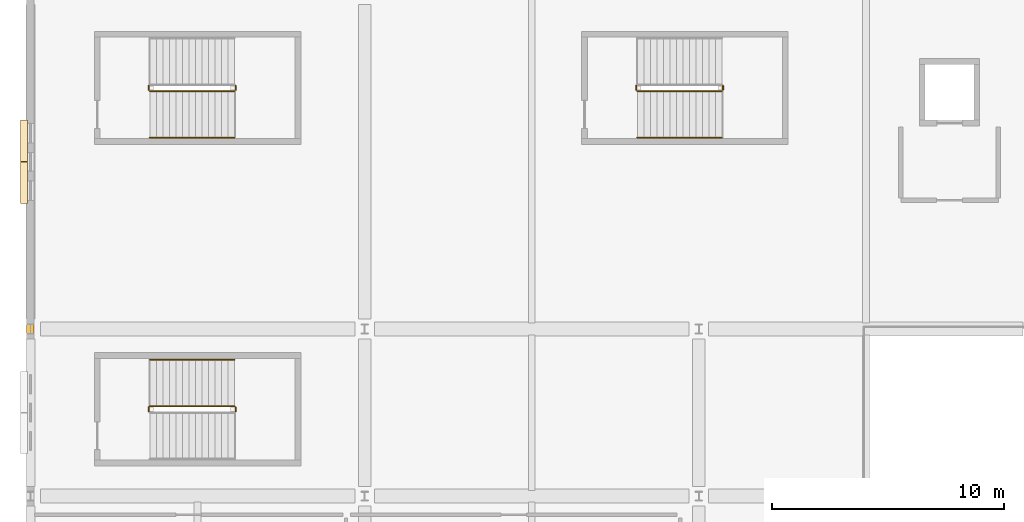
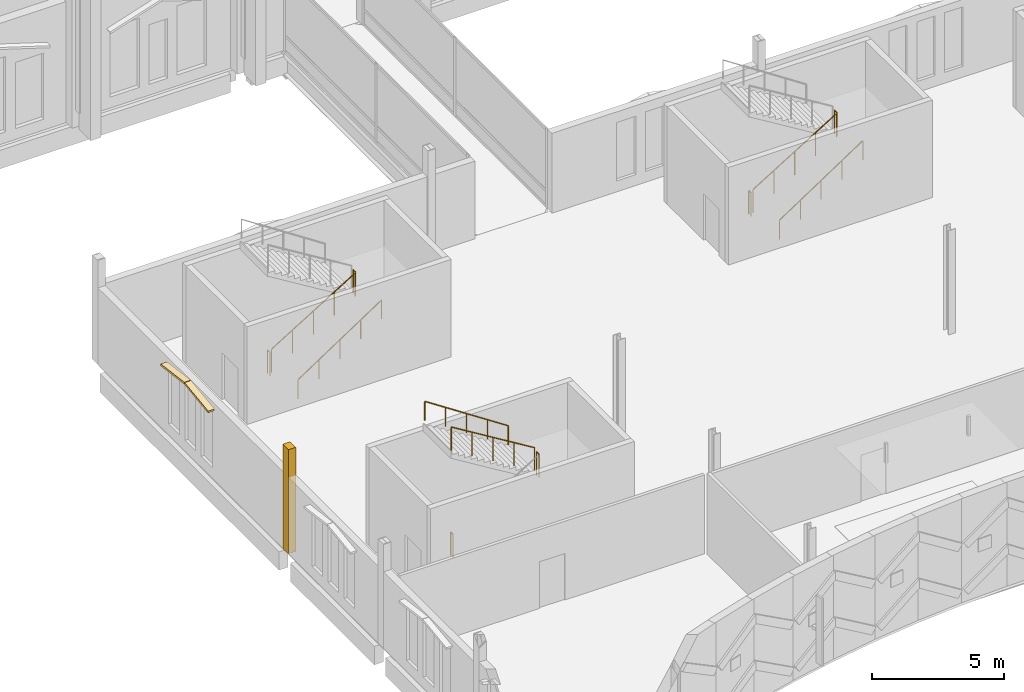
# One storey, part 194 of 220: 12 railings, 3 coverings.
"""IFC4 building model written with IfcOpenShell, lengths in metres."""

from ifc_helpers import new_model, si_unit, direction, frame, origin, origin_2d, place, context, subcontext, project, spatial, polyline, circle, outline, extrude, material, layer, layer_set, type_object, element, save


model = new_model("IFC4")

# Units and contexts
model_context = context("Model", 3, precision=1e-05, world=origin(), true_north=direction((0.0, 1.0)))
body_context = subcontext(model_context, "Body", "Model", "MODEL_VIEW")
ifc_project = project(units=[si_unit("LENGTHUNIT", "METRE"), si_unit("AREAUNIT", "SQUARE_METRE"), si_unit("VOLUMEUNIT", "CUBIC_METRE"), si_unit("PLANEANGLEUNIT", "RADIAN"), si_unit("MASSUNIT", "GRAM", prefix="KILO")], contexts=[model_context])

# Site, building, storey
site_placement = place(None, origin())
site = spatial("IfcSite", under=ifc_project, at=site_placement, CompositionType="ELEMENT")
building_placement = place(site_placement, origin())
building = spatial("IfcBuilding", under=site, at=building_placement, Name="Cendralis Lancet Convention Centre", CompositionType="ELEMENT")
storey_placement = place(building_placement, frame((0.0, 0.0, 5.39990234375)))
storey = spatial("IfcBuildingStorey", under=building, at=storey_placement, Name="L01", CompositionType="ELEMENT", Elevation=5.39990234375)

# Coverings
ifc_material_1 = material(Name="Warm buff sandstone chevron cassette", Category="masonry")
ifc_layer = layer(ifc_material_1, 0.06005859375, Name="Warm buff sandstone chevron cassette")
ifc_layer_set = layer_set([ifc_layer], Name="Warm buff sandstone chevron cassette")
covering_type = type_object("IfcCoveringType", Name="ARC-CV-CLAD1", PredefinedType="CLADDING", material=ifc_layer_set)
for number, where, z_axis, x_axis, name in (
    (1, (-0.419921875, 27.0, 3.27001953125), (0.0, -0.130223638093, 0.991484646418), (1.0, 0.0, 0.0), "L01 Gothic Pointed Lancet Hood-Mould #0257L"),
    (2, (-0.419921875, 28.81005859375, 3.505126953125), (0.0, 0.130223638093, 0.991484646418), (1.0, 0.0, 0.0), "L01 Gothic Pointed Lancet Hood-Mould #0258R"),
):
    element("IfcCovering", number, at=place(storey_placement, frame(where, z_axis=z_axis, x_axis=x_axis)), inside=storey, type_object=covering_type, Name=name, PredefinedType="CLADDING", context=body_context, shape_type="SweptSolid", body=[
        extrude(outline(polyline([(0.0, 0.0), (0.284912109375, 0.0), (0.284912109375, 1.805412790775724), (0.0, 1.805412790775724), (0.0, 0.0)])), origin(), (0.0, 0.0, -1.0), 0.090087890625),
    ])
covering_placement = place(storey_placement, origin())
element("IfcCovering", 3, at=covering_placement, inside=storey, type_object=covering_type, Name="Exterior Column Stone Fire-Casing L01 #003", PredefinedType="CLADDING", context=body_context, shape_type="SweptSolid", body=[
    extrude(outline(polyline([(-0.162109375, 21.387939453125), (0.162109375, 21.387939453125), (0.162109375, 21.81201171875), (-0.162109375, 21.81201171875), (-0.162109375, 21.387939453125)])), origin(), (0.0, 0.0, 1.0), 4.800048828125),
])

# Railings
ifc_material_2 = material(Name="Steel S355", Category="steel")
railing_type_1 = type_object("IfcRailingType", Name="ARC-RL-CGD", PredefinedType="GUARDRAIL", material=ifc_material_2)
railing_1_placement = place(storey_placement, frame((26.14990234375, 31.85009765625, 0.171630859375)))
element("IfcRailing", 4, at=railing_1_placement, inside=storey, type_object=railing_type_1, Name="L01 ST-11 stair guard 1", PredefinedType="GUARDRAIL", context=body_context, shape_type="SweptSolid", body=[
    extrude(circle(Radius=0.02392578125, at=origin_2d()), frame((0.0, 0.0, 1.076171875), z_axis=(0.852865859571, 0.0, 0.52213008492), x_axis=(0.0, 1.0, 0.0)), (0.0, 0.0, 1.0), 4.26806640625),
    extrude(circle(Radius=0.02099609375, at=origin_2d()), origin(), (0.0, 0.0, 1.0), 1.052001953125),
    extrude(circle(Radius=0.02099609375, at=origin_2d()), frame((0.91015625, 0.0, 0.55712890625)), (0.0, 0.0, 1.0), 1.052001953125),
    extrude(circle(Radius=0.02099609375, at=origin_2d()), frame((1.820068359375, 0.0, 1.1142578125)), (0.0, 0.0, 1.0), 1.052001953125),
    extrude(circle(Radius=0.02099609375, at=origin_2d()), frame((2.72998046875, 0.0, 1.67138671875)), (0.0, 0.0, 1.0), 1.052001953125),
    extrude(circle(Radius=0.02099609375, at=origin_2d()), frame((3.64013671875, 0.0, 2.228515625)), (0.0, 0.0, 1.0), 1.052001953125),
])
for number, where, name in (
    (5, (29.840087890625, 31.89990234375, 2.400146484375), "L01 ST-11 stair guard 2"),
    (6, (26.10009765625, 31.89990234375, 0.0), "L01 ST-11 stair guard 4"),
):
    element("IfcRailing", number, at=place(storey_placement, frame(where)), inside=storey, type_object=railing_type_1, Name=name, PredefinedType="GUARDRAIL", context=body_context, shape_type="SweptSolid", body=[
        extrude(circle(Radius=0.02392578125, at=origin_2d()), frame((0.0, 0.0, 1.076171875), z_axis=(0.0, 1.0, 0.0), x_axis=(-1.0, 0.0, 0.0)), (0.0, 0.0, 1.0), 0.18017578125),
        extrude(circle(Radius=0.02099609375, at=origin_2d()), origin(), (0.0, 0.0, 1.0), 1.052001953125),
        extrude(circle(Radius=0.02099609375, at=origin_2d()), frame((0.0, 0.18017578125, 0.0)), (0.0, 0.0, 1.0), 1.052001953125),
    ])
railing_2_placement = place(storey_placement, frame((8.840087890625, 18.050048828125, 2.400146484375)))
element("IfcRailing", 7, at=railing_2_placement, inside=storey, type_object=railing_type_1, Name="L01 ST-17 stair guard 2", PredefinedType="GUARDRAIL", context=body_context, shape_type="SweptSolid", body=[
    extrude(circle(Radius=0.02392578125, at=origin_2d()), frame((0.0, 0.0, 1.076171875), z_axis=(0.0, 1.0, 0.0), x_axis=(-1.0, 0.0, 0.0)), (0.0, 0.0, 1.0), 0.179931640625),
    extrude(circle(Radius=0.02099609375, at=origin_2d()), origin(), (0.0, 0.0, 1.0), 1.052001953125),
    extrude(circle(Radius=0.02099609375, at=origin_2d()), frame((0.0, 0.179931640625, 0.0)), (0.0, 0.0, 1.0), 1.052001953125),
])
railing_3_placement = place(storey_placement, frame((8.7900390625, 18.280029296875, 2.571533203125)))
element("IfcRailing", 8, at=railing_3_placement, inside=storey, type_object=railing_type_1, Name="L01 ST-17 stair guard 3", PredefinedType="GUARDRAIL", context=body_context, shape_type="SweptSolid", body=[
    extrude(circle(Radius=0.02392578125, at=origin_2d()), frame((0.0, 0.0, 1.076171875), z_axis=(-0.852865859571, 0.0, 0.52213008492), x_axis=(0.0, -1.0, 0.0)), (0.0, 0.0, 1.0), 4.26806640625),
    extrude(circle(Radius=0.02099609375, at=origin_2d()), origin(), (0.0, 0.0, 1.0), 1.052001953125),
    extrude(circle(Radius=0.02099609375, at=origin_2d()), frame((-0.91015625, 0.0, 0.55712890625)), (0.0, 0.0, 1.0), 1.052001953125),
    extrude(circle(Radius=0.02099609375, at=origin_2d()), frame((-1.820068359375, 0.0, 1.1142578125)), (0.0, 0.0, 1.0), 1.052001953125),
    extrude(circle(Radius=0.02099609375, at=origin_2d()), frame((-2.72998046875, 0.0, 1.67138671875)), (0.0, 0.0, 1.0), 1.052001953125),
    extrude(circle(Radius=0.02099609375, at=origin_2d()), frame((-3.64013671875, 0.0, 2.228515625)), (0.0, 0.0, 1.0), 1.052001953125),
])
railing_4_placement = place(storey_placement, frame((5.10009765625, 18.050048828125, 0.0)))
element("IfcRailing", 9, at=railing_4_placement, inside=storey, type_object=railing_type_1, Name="L01 ST-17 stair guard 4", PredefinedType="GUARDRAIL", context=body_context, shape_type="SweptSolid", body=[
    extrude(circle(Radius=0.02392578125, at=origin_2d()), frame((0.0, 0.0, 1.076171875), z_axis=(0.0, 1.0, 0.0), x_axis=(-1.0, 0.0, 0.0)), (0.0, 0.0, 1.0), 0.179931640625),
    extrude(circle(Radius=0.02099609375, at=origin_2d()), origin(), (0.0, 0.0, 1.0), 1.052001953125),
    extrude(circle(Radius=0.02099609375, at=origin_2d()), frame((0.0, 0.179931640625, 0.0)), (0.0, 0.0, 1.0), 1.052001953125),
])
railing_5_placement = place(storey_placement, frame((5.14990234375, 31.85009765625, 0.171630859375)))
element("IfcRailing", 10, at=railing_5_placement, inside=storey, type_object=railing_type_1, Name="L01 ST-20 stair guard 1", PredefinedType="GUARDRAIL", context=body_context, shape_type="SweptSolid", body=[
    extrude(circle(Radius=0.02392578125, at=origin_2d()), frame((0.0, 0.0, 1.076171875), z_axis=(0.852865859571, 0.0, 0.52213008492), x_axis=(0.0, 1.0, 0.0)), (0.0, 0.0, 1.0), 4.26806640625),
    extrude(circle(Radius=0.02099609375, at=origin_2d()), origin(), (0.0, 0.0, 1.0), 1.052001953125),
    extrude(circle(Radius=0.02099609375, at=origin_2d()), frame((0.91015625, 0.0, 0.55712890625)), (0.0, 0.0, 1.0), 1.052001953125),
    extrude(circle(Radius=0.02099609375, at=origin_2d()), frame((1.820068359375, 0.0, 1.1142578125)), (0.0, 0.0, 1.0), 1.052001953125),
    extrude(circle(Radius=0.02099609375, at=origin_2d()), frame((2.72998046875, 0.0, 1.67138671875)), (0.0, 0.0, 1.0), 1.052001953125),
    extrude(circle(Radius=0.02099609375, at=origin_2d()), frame((3.64013671875, 0.0, 2.228515625)), (0.0, 0.0, 1.0), 1.052001953125),
])
for number, where, name in (
    (11, (8.840087890625, 31.89990234375, 2.400146484375), "L01 ST-20 stair guard 2"),
    (12, (5.10009765625, 31.89990234375, 0.0), "L01 ST-20 stair guard 4"),
):
    element("IfcRailing", number, at=place(storey_placement, frame(where)), inside=storey, type_object=railing_type_1, Name=name, PredefinedType="GUARDRAIL", context=body_context, shape_type="SweptSolid", body=[
        extrude(circle(Radius=0.02392578125, at=origin_2d()), frame((0.0, 0.0, 1.076171875), z_axis=(0.0, 1.0, 0.0), x_axis=(-1.0, 0.0, 0.0)), (0.0, 0.0, 1.0), 0.18017578125),
        extrude(circle(Radius=0.02099609375, at=origin_2d()), origin(), (0.0, 0.0, 1.0), 1.052001953125),
        extrude(circle(Radius=0.02099609375, at=origin_2d()), frame((0.0, 0.18017578125, 0.0)), (0.0, 0.0, 1.0), 1.052001953125),
    ])
railing_type_2 = type_object("IfcRailingType", Name="ARC-RL-CHR", PredefinedType="HANDRAIL", material=ifc_material_2)
railing_6_placement = place(storey_placement, frame((26.14990234375, 29.85009765625, 0.171630859375)))
element("IfcRailing", 13, at=railing_6_placement, inside=storey, type_object=railing_type_2, Name="L01 ST-11 stair handrail 1", PredefinedType="HANDRAIL", context=body_context, shape_type="SweptSolid", body=[
    extrude(circle(Radius=0.02392578125, at=origin_2d()), frame((0.0, 0.0, 0.8759765625), z_axis=(0.83488217925, 0.0, 0.55042869363), x_axis=(0.0, 1.0, 0.0)), (0.0, 0.0, 1.0), 4.360107421875),
    extrude(circle(Radius=0.02099609375, at=origin_2d()), origin(), (0.0, 0.0, 1.0), 0.851806640625),
    extrude(circle(Radius=0.02099609375, at=origin_2d()), frame((0.91015625, 0.0, 0.60009765625)), (0.0, 0.0, 1.0), 0.851806640625),
    extrude(circle(Radius=0.02099609375, at=origin_2d()), frame((1.820068359375, 0.0, 1.199951171875)), (0.0, 0.0, 1.0), 0.851806640625),
    extrude(circle(Radius=0.02099609375, at=origin_2d()), frame((2.72998046875, 0.0, 1.7998046875)), (0.0, 0.0, 1.0), 0.851806640625),
    extrude(circle(Radius=0.02099609375, at=origin_2d()), frame((3.64013671875, 0.0, 2.39990234375)), (0.0, 0.0, 1.0), 0.851806640625),
])
railing_7_placement = place(storey_placement, frame((8.7900390625, 20.280029296875, 2.571533203125)))
element("IfcRailing", 14, at=railing_7_placement, inside=storey, type_object=railing_type_2, Name="L01 ST-17 stair handrail 2", PredefinedType="HANDRAIL", context=body_context, shape_type="SweptSolid", body=[
    extrude(circle(Radius=0.02392578125, at=origin_2d()), frame((0.0, 0.0, 0.8759765625), z_axis=(-0.83488217925, 0.0, 0.55042869363), x_axis=(0.0, -1.0, 0.0)), (0.0, 0.0, 1.0), 4.360107421875),
    extrude(circle(Radius=0.02099609375, at=origin_2d()), origin(), (0.0, 0.0, 1.0), 0.851806640625),
    extrude(circle(Radius=0.02099609375, at=origin_2d()), frame((-0.91015625, 0.0, 0.60009765625)), (0.0, 0.0, 1.0), 0.851806640625),
    extrude(circle(Radius=0.02099609375, at=origin_2d()), frame((-1.820068359375, 0.0, 1.199951171875)), (0.0, 0.0, 1.0), 0.851806640625),
    extrude(circle(Radius=0.02099609375, at=origin_2d()), frame((-2.72998046875, 0.0, 1.7998046875)), (0.0, 0.0, 1.0), 0.851806640625),
    extrude(circle(Radius=0.02099609375, at=origin_2d()), frame((-3.64013671875, 0.0, 2.39990234375)), (0.0, 0.0, 1.0), 0.851806640625),
])
railing_8_placement = place(storey_placement, frame((5.14990234375, 29.85009765625, 0.171630859375)))
element("IfcRailing", 15, at=railing_8_placement, inside=storey, type_object=railing_type_2, Name="L01 ST-20 stair handrail 1", PredefinedType="HANDRAIL", context=body_context, shape_type="SweptSolid", body=[
    extrude(circle(Radius=0.02392578125, at=origin_2d()), frame((0.0, 0.0, 0.8759765625), z_axis=(0.83488217925, 0.0, 0.55042869363), x_axis=(0.0, 1.0, 0.0)), (0.0, 0.0, 1.0), 4.360107421875),
    extrude(circle(Radius=0.02099609375, at=origin_2d()), origin(), (0.0, 0.0, 1.0), 0.851806640625),
    extrude(circle(Radius=0.02099609375, at=origin_2d()), frame((0.91015625, 0.0, 0.60009765625)), (0.0, 0.0, 1.0), 0.851806640625),
    extrude(circle(Radius=0.02099609375, at=origin_2d()), frame((1.820068359375, 0.0, 1.199951171875)), (0.0, 0.0, 1.0), 0.851806640625),
    extrude(circle(Radius=0.02099609375, at=origin_2d()), frame((2.72998046875, 0.0, 1.7998046875)), (0.0, 0.0, 1.0), 0.851806640625),
    extrude(circle(Radius=0.02099609375, at=origin_2d()), frame((3.64013671875, 0.0, 2.39990234375)), (0.0, 0.0, 1.0), 0.851806640625),
])

save(model, "model.ifc")
